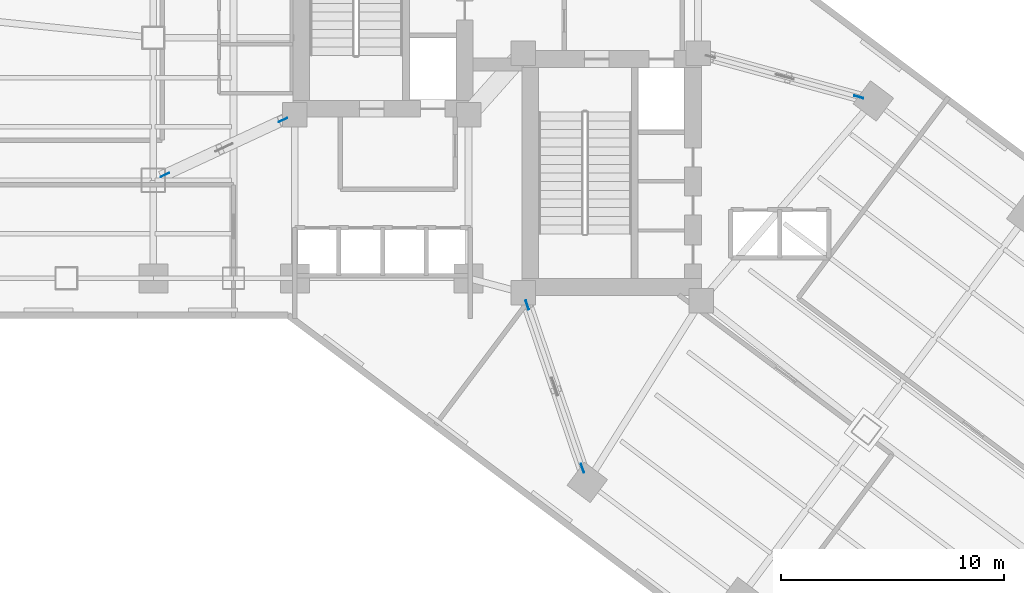
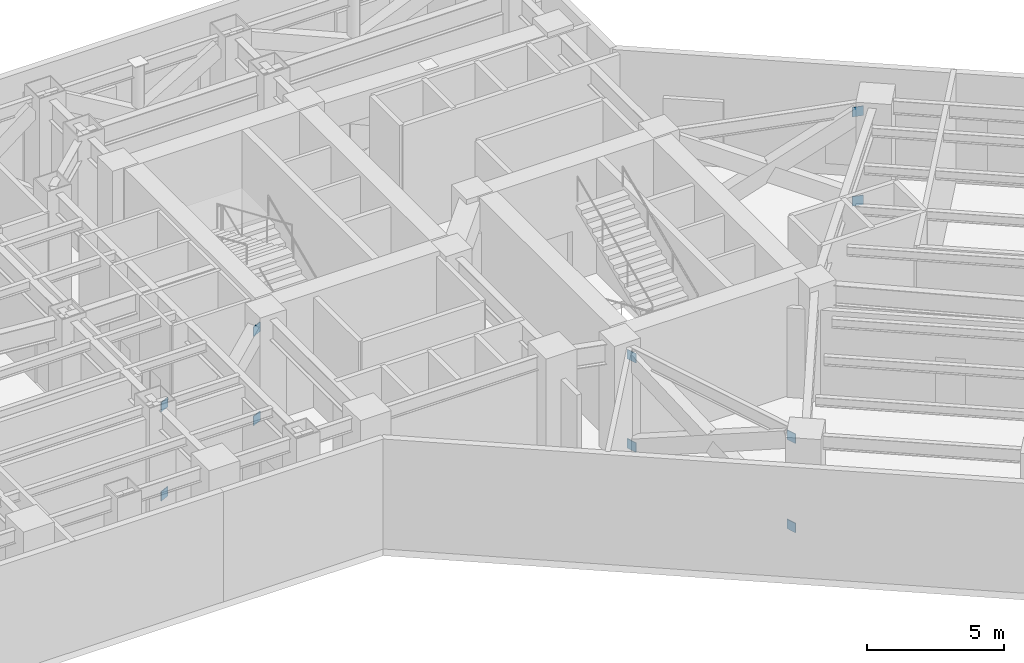
# One storey, part 7 of 16: 10 plates.
"""IFC4 building model written with IfcOpenShell, lengths in metres."""

from ifc_helpers import new_model, si_unit, direction, frame, origin, origin_2d, place, context, subcontext, project, spatial, rectangle, extrude, material, layer, layer_set, type_object, element, save


model = new_model("IFC4")

# Units and contexts
model_context = context("Model", 3, precision=1e-05, world=origin(), true_north=direction((0.0, 1.0)))
body_context = subcontext(model_context, "Body", "Model", "MODEL_VIEW")
ifc_project = project(units=[si_unit("LENGTHUNIT", "METRE"), si_unit("AREAUNIT", "SQUARE_METRE"), si_unit("VOLUMEUNIT", "CUBIC_METRE"), si_unit("PLANEANGLEUNIT", "RADIAN"), si_unit("MASSUNIT", "GRAM", prefix="KILO")], contexts=[model_context])

# Site, building, storey
site_placement = place(None, origin())
site = spatial("IfcSite", under=ifc_project, at=site_placement, CompositionType="ELEMENT")
building_placement = place(site_placement, origin())
building = spatial("IfcBuilding", under=site, at=building_placement, Name="Hatsunagi Terrace Concourse", CompositionType="ELEMENT")
storey_placement = place(building_placement, frame((0.0, 0.0, 27.0)))
storey = spatial("IfcBuildingStorey", under=building, at=storey_placement, Name="L06", CompositionType="ELEMENT", Elevation=27.0)

# Plates
ifc_material = material(Name="Steel SN490C", Category="steel")
ifc_layer = layer(ifc_material, 0.031982421875)
ifc_layer_set = layer_set([ifc_layer], Name="XBraceNodeCapPlate_32")
plate_type = type_object("IfcPlateType", Name="XBraceNodeCapPlate_32", PredefinedType="USERDEFINED", material=ifc_layer_set)
for number, where, z_axis, x_axis, name in (
    (1, (25.02587890625, 32.305908203125, 0.25), (0.0, 0.0, 1.0), (-0.906911697231, -0.421320748867, 0.0), "Cast-In Core and Node Embed Plate GP-02 EP-OUT-L06-1-AB"),
    (2, (25.02587890625, 32.305908203125, 4.2099609375), (0.0, 0.0, 1.0), (-0.906911697231, -0.421320748867, 0.0), "Cast-In Core and Node Embed Plate GP-02 EP-OUT-L06-1-AT"),
    (3, (19.72412109375, 29.843994140625, 0.25), (0.0, 0.0, 1.0), (-0.906911697231, -0.421320748867, 0.0), "Cast-In Core and Node Embed Plate GP-02 EP-OUT-L06-1-BB"),
    (4, (19.72412109375, 29.843994140625, 4.2099609375), (0.0, 0.0, 1.0), (-0.906911697231, -0.421320748867, 0.0), "Cast-In Core and Node Embed Plate GP-02 EP-OUT-L06-1-BT"),
    (5, (35.985107421875, 24.0029296875, 0.25), (0.0, 0.0, 1.0), (0.320565047555, -0.947226504214, 0.0), "Cast-In Core and Node Embed Plate GP-02 EP-OUT-L06-5-AB"),
    (6, (35.985107421875, 24.0029296875, 4.2099609375), (0.0, 0.0, 1.0), (0.320565047555, -0.947226504214, 0.0), "Cast-In Core and Node Embed Plate GP-02 EP-OUT-L06-5-AT"),
    (7, (38.462890625, 16.681884765625, 0.25), (0.0, 0.0, 1.0), (0.320565047555, -0.947226504214, 0.0), "Cast-In Core and Node Embed Plate GP-02 EP-OUT-L06-5-BB"),
    (8, (38.462890625, 16.681884765625, 4.2099609375), (0.0, 0.0, 1.0), (0.320565047555, -0.947226504214, 0.0), "Cast-In Core and Node Embed Plate GP-02 EP-OUT-L06-5-BT"),
    (9, (50.865966796875, 33.337890625, 0.25), (0.0, 0.0, 1.0), (0.964961560534, -0.262391285471, 0.0), "Cast-In Core and Node Embed Plate GP-02 EP-OUT-L06-6-BB"),
    (10, (50.865966796875, 33.337890625, 4.2099609375), (0.0, 0.0, 1.0), (0.964961560534, -0.262391285471, 0.0), "Cast-In Core and Node Embed Plate GP-02 EP-OUT-L06-6-BT"),
):
    element("IfcPlate", number, at=place(storey_placement, frame(where, z_axis=z_axis, x_axis=x_axis)), inside=storey, type_object=plate_type, Name=name, ObjectType="GUSSET_PLATE", PredefinedType="USERDEFINED", context=body_context, shape_type="SweptSolid", body=[
        extrude(rectangle(XDim=0.419921875, YDim=0.031982421875, at=origin_2d()), origin(), (0.0, 0.0, 1.0), 0.419921875),
    ])

save(model, "model.ifc")
